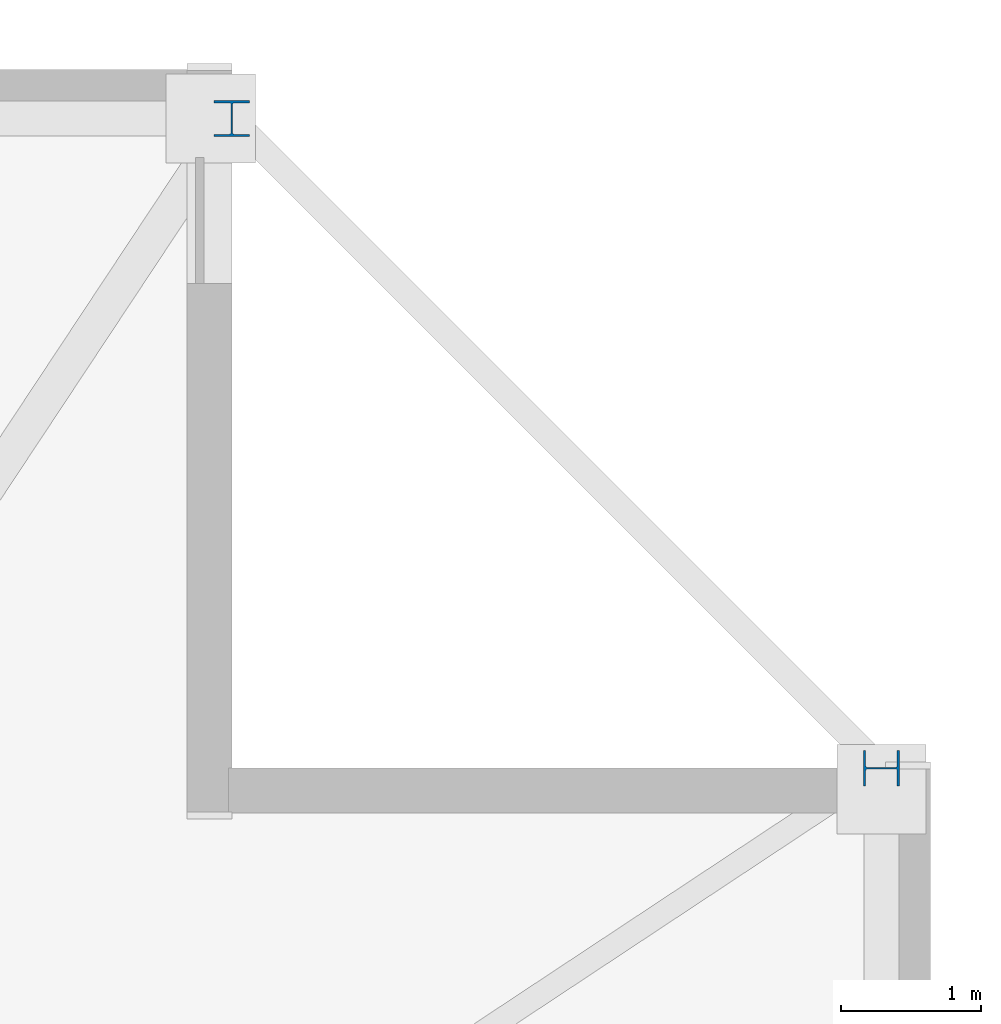
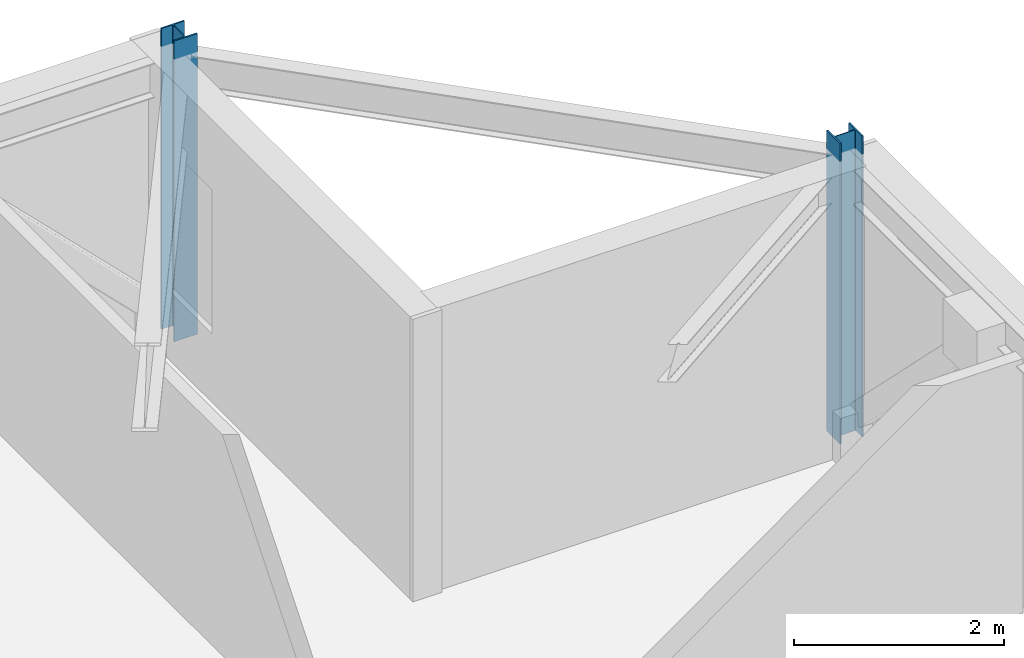
# One storey, part 5 of 17: 2 columns.
"""IFC4 building model written with IfcOpenShell, lengths in metres."""

from ifc_helpers import new_model, si_unit, direction, frame, origin, origin_2d, place, context, subcontext, project, spatial, i_section, extrude, material, material_profile, profile_set, type_object, element, save


model = new_model("IFC4")

# Units and contexts
model_context = context("Model", 3, precision=1e-05, world=origin(), true_north=direction((0.0, 1.0)))
body_context = subcontext(model_context, "Body", "Model", "MODEL_VIEW")
ifc_project = project(units=[si_unit("LENGTHUNIT", "METRE"), si_unit("AREAUNIT", "SQUARE_METRE"), si_unit("VOLUMEUNIT", "CUBIC_METRE"), si_unit("PLANEANGLEUNIT", "RADIAN"), si_unit("MASSUNIT", "GRAM", prefix="KILO")], contexts=[model_context])

# Site, building, storey
site_placement = place(None, origin())
site = spatial("IfcSite", under=ifc_project, at=site_placement, CompositionType="ELEMENT")
building_placement = place(site_placement, origin())
building = spatial("IfcBuilding", under=site, at=building_placement, Name="Cairnveth Concourse Tower", CompositionType="ELEMENT")
storey_placement = place(building_placement, frame((0.0, 0.0, 220.0)))
storey = spatial("IfcBuildingStorey", under=building, at=storey_placement, Name="L60", CompositionType="ELEMENT", Elevation=220.0)

# Columns
ifc_material = material(Name="Steel Grade 350", Category="steel")
ifc_material_profile = material_profile(ifc_material, i_section(OverallWidth=0.256103515625, OverallDepth=0.260009765625, WebThickness=0.010498046875, FlangeThickness=0.017333984375, FilletRadius=0.012939453125, at=origin_2d()), Name="250UC89.5")
ifc_profile_set = profile_set([ifc_material_profile], Name="Steel Grade 350")
column_type = type_object("IfcColumnType", Name="UNIVERSAL STEEL COLUMN 250UC89.5", PredefinedType="COLUMN", material=ifc_profile_set)
for number, where, z_axis, x_axis, name in (
    (1, (74.14990234375, 56.5, 0.0), (0.0, 0.0, 1.0), (0.0, 1.0, 0.0), "Column P-E4 L60"),
    (2, (69.5, 61.14990234375, 0.0), (0.0, 0.0, 1.0), (1.0, 0.0, 0.0), "Column P-N1 L60"),
):
    element("IfcColumn", number, at=place(storey_placement, frame(where, z_axis=z_axis, x_axis=x_axis)), inside=storey, type_object=column_type, Name=name, PredefinedType="COLUMN", context=body_context, shape_type="SweptSolid", body=[
        extrude(i_section(OverallWidth=0.256103515625, OverallDepth=0.260009765625, WebThickness=0.010498046875, FlangeThickness=0.017333984375, FilletRadius=0.012939453125, at=origin_2d()), origin(), (0.0, 0.0, 1.0), 3.5),
    ])

save(model, "model.ifc")
